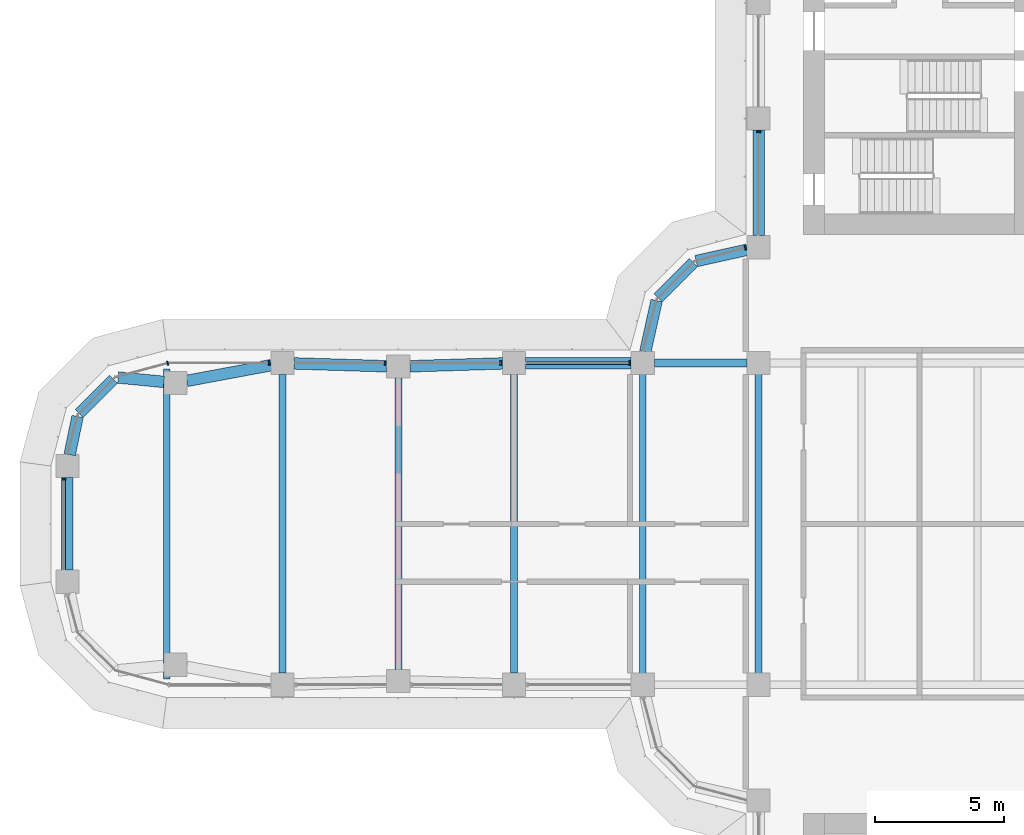
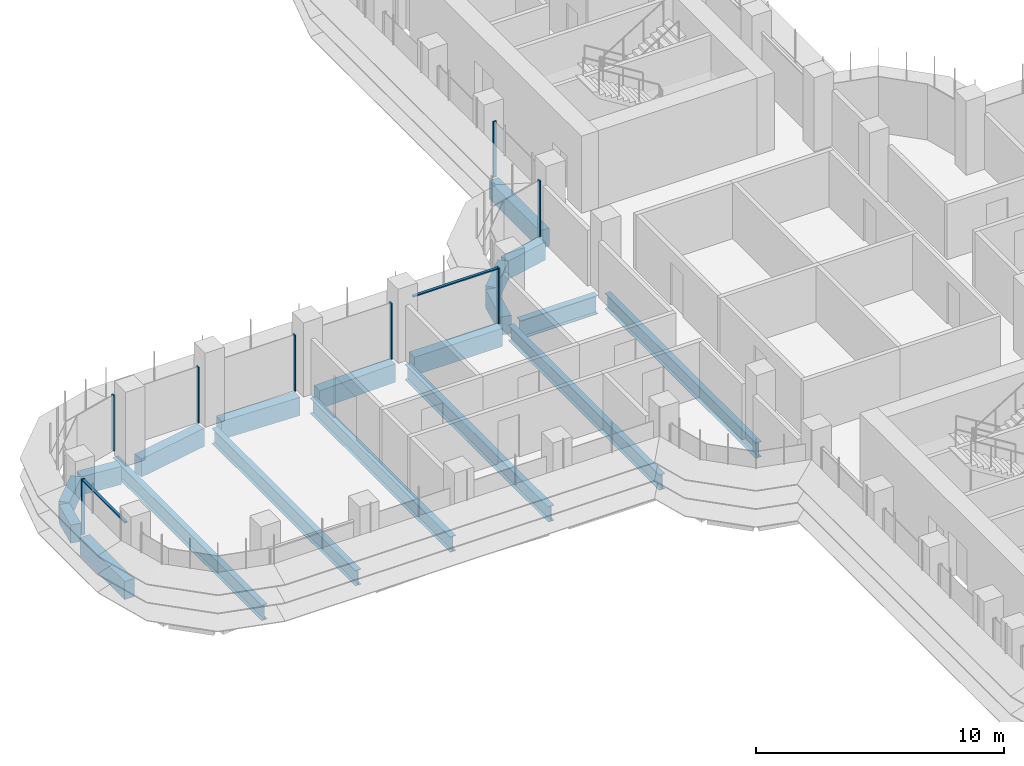
# One storey, part 6 of 22: 19 beams, 10 members, 5 elements without a shape of their own.
"""IFC4 building model written with IfcOpenShell, lengths in metres."""

from ifc_helpers import new_model, si_unit, direction, frame, origin, origin_2d, place, context, subcontext, project, spatial, polyline, rectangle, i_section, outline, extrude, source, transform, mapped, material, material_profile, profile_set, type_object, element, aggregate, save


model = new_model("IFC4")

# Units and contexts
model_context = context("Model", 3, precision=1e-05, world=origin(), true_north=direction((0.0, 1.0)))
body_context = subcontext(model_context, "Body", "Model", "MODEL_VIEW")
ifc_project = project(units=[si_unit("LENGTHUNIT", "METRE"), si_unit("AREAUNIT", "SQUARE_METRE"), si_unit("VOLUMEUNIT", "CUBIC_METRE"), si_unit("PLANEANGLEUNIT", "RADIAN"), si_unit("MASSUNIT", "GRAM", prefix="KILO")], contexts=[model_context])

# Site, building, storey
site_placement = place(None, origin())
site = spatial("IfcSite", under=ifc_project, at=site_placement, CompositionType="ELEMENT")
building_placement = place(site_placement, origin())
building = spatial("IfcBuilding", under=site, at=building_placement, Name="Zarbagh Exchange Tower", CompositionType="ELEMENT")
storey_placement = place(building_placement, frame((0.0, 0.0, 109.39990234375)))
storey = spatial("IfcBuildingStorey", under=building, at=storey_placement, Name="L25", CompositionType="ELEMENT", Elevation=109.39990234375)

# Beams
ifc_material_1 = material(Name="Steel ASTM A992 Gr 50", Category="steel")
ifc_material_profile_1 = material_profile(ifc_material_1, i_section(OverallWidth=0.2666015625, OverallDepth=0.7568359375, WebThickness=0.013916015625, FlangeThickness=0.019287109375, at=origin_2d()), Name="W30X108")
ifc_profile_set_1 = profile_set([ifc_material_profile_1], Name="Steel ASTM A992 Gr 50")
beam_type_1 = type_object("IfcBeamType", Name="Floor beam W30X108", PredefinedType="BEAM", material=ifc_profile_set_1)
for number, where, z_axis, x_axis, name in (
    (1, (-10.75, -6.09765625, -0.5283203125), (0.0, 1.0, 0.0), (-1.0, 0.0, 0.0), "Steel floor beam"),
    (2, (-6.25, -6.09765625, -0.5283203125), (0.0, 1.0, 0.0), (-1.0, 0.0, 0.0), "Steel floor beam"),
):
    element("IfcBeam", number, at=place(storey_placement, frame(where, z_axis=z_axis, x_axis=x_axis)), inside=storey, type_object=beam_type_1, Name=name, PredefinedType="BEAM", context=body_context, shape_type="SweptSolid", body=[
        extrude(i_section(OverallWidth=0.2666015625, OverallDepth=0.7568359375, WebThickness=0.013916015625, FlangeThickness=0.019287109375, at=origin_2d()), origin(), (0.0, 0.0, 1.0), 12.1953125),
    ])
beam_1_placement = place(storey_placement, frame((-15.75, -5.800048828125, -0.5283203125), z_axis=(0.0, 1.0, 0.0), x_axis=(-1.0, 0.0, 0.0)))
element("IfcBeam", 3, at=beam_1_placement, inside=storey, type_object=beam_type_1, Name="Steel floor beam", PredefinedType="BEAM", context=body_context, shape_type="SweptSolid", body=[
    extrude(i_section(OverallWidth=0.2666015625, OverallDepth=0.7568359375, WebThickness=0.013916015625, FlangeThickness=0.019287109375, at=origin_2d()), origin(), (0.0, 0.0, 1.0), 11.60009765625),
])
beam_2_placement = place(storey_placement, frame((-20.25, -5.659912109375, -0.5283203125), z_axis=(0.0, 1.0, 0.0), x_axis=(-1.0, 0.0, 0.0)))
element("IfcBeam", 4, at=beam_2_placement, inside=storey, type_object=beam_type_1, Name="Steel floor beam", PredefinedType="BEAM", context=body_context, shape_type="SweptSolid", body=[
    extrude(i_section(OverallWidth=0.2666015625, OverallDepth=0.7568359375, WebThickness=0.013916015625, FlangeThickness=0.019287109375, at=origin_2d()), origin(), (0.0, 0.0, 1.0), 11.31982421875),
])
beam_3_placement = place(storey_placement, frame((-24.75, -5.800048828125, -0.5283203125), z_axis=(0.0, 1.0, 0.0), x_axis=(-1.0, 0.0, 0.0)))
element("IfcBeam", 5, at=beam_3_placement, inside=storey, type_object=beam_type_1, Name="Steel floor beam", PredefinedType="BEAM", context=body_context, shape_type="SweptSolid", body=[
    extrude(i_section(OverallWidth=0.2666015625, OverallDepth=0.7568359375, WebThickness=0.013916015625, FlangeThickness=0.019287109375, at=origin_2d()), origin(), (0.0, 0.0, 1.0), 11.60009765625),
])
beam_4_placement = place(storey_placement, frame((-29.25, -6.02490234375, -0.5283203125), z_axis=(0.0, 1.0, 0.0), x_axis=(-1.0, 0.0, 0.0)))
element("IfcBeam", 6, at=beam_4_placement, inside=storey, type_object=beam_type_1, Name="Steel floor beam", PredefinedType="BEAM", context=body_context, shape_type="SweptSolid", body=[
    extrude(i_section(OverallWidth=0.2666015625, OverallDepth=0.7568359375, WebThickness=0.013916015625, FlangeThickness=0.019287109375, at=origin_2d()), origin(), (0.0, 0.0, 1.0), 12.0498046875),
])
ifc_material_profile_2 = material_profile(ifc_material_1, i_section(OverallWidth=0.3046875, OverallDepth=0.911865234375, WebThickness=0.015869140625, FlangeThickness=0.02392578125, at=origin_2d()), Name="W36X150")
ifc_profile_set_2 = profile_set([ifc_material_profile_2], Name="Steel ASTM A992 Gr 50")
beam_type_2 = type_object("IfcBeamType", Name="Floor girder W36X150", PredefinedType="BEAM", material=ifc_profile_set_2)
beam_5_placement = place(storey_placement, frame((-10.300048828125, 6.25, -0.605712890625), z_axis=(1.0, 0.0, 0.0), x_axis=(0.0, 1.0, 0.0)))
element("IfcBeam", 7, at=beam_5_placement, inside=storey, type_object=beam_type_2, Name="Steel girder", PredefinedType="BEAM", context=body_context, shape_type="SweptSolid", body=[
    extrude(i_section(OverallWidth=0.3046875, OverallDepth=0.911865234375, WebThickness=0.015869140625, FlangeThickness=0.02392578125, at=origin_2d()), origin(), (0.0, 0.0, 1.0), 3.60009765625),
])
ifc_material_2 = material(Name="Concrete C60/75", Category="concrete")
ifc_material_profile_3 = material_profile(ifc_material_2, rectangle(XDim=0.449951171875, YDim=0.89990234375, at=origin_2d()), Name="RC spandrel beam 450 x 900 C60/75")
ifc_profile_set_3 = profile_set([ifc_material_profile_3], Name="Concrete C60/75")
beam_type_3 = type_object("IfcBeamType", Name="RC spandrel beam 450 x 900 C60/75", PredefinedType="SPANDREL", material=ifc_profile_set_3)
beam_6_placement = place(storey_placement, frame((-33.110107421875, -1.800048828125, -0.599853515625), z_axis=(0.0, 1.0, 0.0), x_axis=(-1.0, 0.0, 0.0)))
element("IfcBeam", 8, at=beam_6_placement, inside=storey, type_object=beam_type_3, Name="RC spandrel beam", PredefinedType="SPANDREL", context=body_context, shape_type="SweptSolid", body=[
    extrude(rectangle(XDim=0.449951171875, YDim=0.89990234375, at=origin_2d()), origin(), (0.0, 0.0, 1.0), 3.60009765625),
])
beam_7_placement = place(storey_placement, frame((-33.01904296875, 2.690673828125, -0.599853515625), z_axis=(0.202275417995, 0.979328675816, 0.0), x_axis=(-0.979328675816, 0.202275417995, 0.0)))
element("IfcBeam", 9, at=beam_7_placement, inside=storey, type_object=beam_type_3, Name="RC spandrel beam", PredefinedType="SPANDREL", context=body_context, shape_type="SweptSolid", body=[
    extrude(rectangle(XDim=0.449951171875, YDim=0.89990234375, at=origin_2d()), origin(), (0.0, 0.0, 1.0), 1.515869140625),
])
beam_8_placement = place(storey_placement, frame((-32.651123046875, 4.288818359375, -0.599853515625), z_axis=(0.707106781187, 0.707106781187, 0.0), x_axis=(-0.707106781187, 0.707106781187, 0.0)))
element("IfcBeam", 10, at=beam_8_placement, inside=storey, type_object=beam_type_3, Name="RC spandrel beam", PredefinedType="SPANDREL", context=body_context, shape_type="SweptSolid", body=[
    extrude(rectangle(XDim=0.449951171875, YDim=0.89990234375, at=origin_2d()), origin(), (0.0, 0.0, 1.0), 1.887939453125),
])
beam_9_placement = place(storey_placement, frame((-31.135498046875, 5.688720703125, -0.599853515625), z_axis=(0.995433267802, -0.095459988228, 0.0), x_axis=(0.095459988228, 0.995433267802, 0.0)))
element("IfcBeam", 11, at=beam_9_placement, inside=storey, type_object=beam_type_3, Name="RC spandrel beam", PredefinedType="SPANDREL", context=body_context, shape_type="SweptSolid", body=[
    extrude(rectangle(XDim=0.449951171875, YDim=0.89990234375, at=origin_2d()), origin(), (0.0, 0.0, 1.0), 1.78759765625),
])
beam_10_placement = place(storey_placement, frame((-28.465576171875, 5.5576171875, -0.599853515625), z_axis=(0.98308156541, 0.183168326277, 0.0), x_axis=(-0.183168326277, 0.98308156541, 0.0)))
element("IfcBeam", 12, at=beam_10_placement, inside=storey, type_object=beam_type_3, Name="RC spandrel beam", PredefinedType="SPANDREL", context=body_context, shape_type="SweptSolid", body=[
    extrude(rectangle(XDim=0.449951171875, YDim=0.89990234375, at=origin_2d()), origin(), (0.0, 0.0, 1.0), 3.32958984375),
])
for number, where, z_axis, x_axis, name in (
    (13, (-24.30029296875, 6.236083984375, -0.599853515625), (0.999516035224, -0.031107801747, 0.0), (0.031107801747, 0.999516035224, 0.0), "RC spandrel beam"),
    (14, (-19.80029296875, 6.1240234375, -0.599853515625), (0.999516035224, 0.031107801747, 0.0), (-0.031107801747, 0.999516035224, 0.0), "RC spandrel beam"),
):
    element("IfcBeam", number, at=place(storey_placement, frame(where, z_axis=z_axis, x_axis=x_axis)), inside=storey, type_object=beam_type_3, Name=name, PredefinedType="SPANDREL", context=body_context, shape_type="SweptSolid", body=[
        extrude(rectangle(XDim=0.449951171875, YDim=0.89990234375, at=origin_2d()), origin(), (0.0, 0.0, 1.0), 3.602294921875),
    ])
beam_11_placement = place(storey_placement, frame((-15.300048828125, 6.25, -0.599853515625), z_axis=(1.0, 0.0, 0.0), x_axis=(0.0, 1.0, 0.0)))
element("IfcBeam", 15, at=beam_11_placement, inside=storey, type_object=beam_type_3, Name="RC spandrel beam", PredefinedType="SPANDREL", context=body_context, shape_type="SweptSolid", body=[
    extrude(rectangle(XDim=0.449951171875, YDim=0.89990234375, at=origin_2d()), origin(), (0.0, 0.0, 1.0), 4.10009765625),
])
beam_12_placement = place(storey_placement, frame((-10.65283203125, 6.689453125, -0.599853515625), z_axis=(0.216117666208, 0.976367325525, 0.0), x_axis=(-0.976367325525, 0.216117666208, 0.0)))
element("IfcBeam", 16, at=beam_12_placement, inside=storey, type_object=beam_type_3, Name="RC spandrel beam", PredefinedType="SPANDREL", context=body_context, shape_type="SweptSolid", body=[
    extrude(rectangle(XDim=0.449951171875, YDim=0.89990234375, at=origin_2d()), origin(), (0.0, 0.0, 1.0), 2.03564453125),
])
beam_13_placement = place(storey_placement, frame((-10.15234375, 8.78759765625, -0.599853515625), z_axis=(0.707106781187, 0.707106781187, 0.0), x_axis=(-0.707106781187, 0.707106781187, 0.0)))
element("IfcBeam", 17, at=beam_13_placement, inside=storey, type_object=beam_type_3, Name="RC spandrel beam", PredefinedType="SPANDREL", context=body_context, shape_type="SweptSolid", body=[
    extrude(rectangle(XDim=0.449951171875, YDim=0.89990234375, at=origin_2d()), origin(), (0.0, 0.0, 1.0), 1.929931640625),
])
beam_14_placement = place(storey_placement, frame((-8.677001953125, 10.212890625, -0.599853515625), z_axis=(0.976367325525, 0.216117666208, 0.0), x_axis=(-0.216117666208, 0.976367325525, 0.0)))
element("IfcBeam", 18, at=beam_14_placement, inside=storey, type_object=beam_type_3, Name="RC spandrel beam", PredefinedType="SPANDREL", context=body_context, shape_type="SweptSolid", body=[
    extrude(rectangle(XDim=0.449951171875, YDim=0.89990234375, at=origin_2d()), origin(), (0.0, 0.0, 1.0), 2.03564453125),
])
beam_15_placement = place(storey_placement, frame((-6.25, 11.199951171875, -0.599853515625), z_axis=(0.0, 1.0, 0.0), x_axis=(-1.0, 0.0, 0.0)))
element("IfcBeam", 19, at=beam_15_placement, inside=storey, type_object=beam_type_3, Name="RC spandrel beam", PredefinedType="SPANDREL", context=body_context, shape_type="SweptSolid", body=[
    extrude(rectangle(XDim=0.449951171875, YDim=0.89990234375, at=origin_2d()), origin(), (0.0, 0.0, 1.0), 4.10009765625),
])

# Curtain wall, member
ifc_material_3 = material(Name="Anodised aluminium frame and glazing", Category="aluminium")
curtain_wall_type = type_object("IfcCurtainWallType", Name="CWA Ribbon glazing, lower zones", PredefinedType="NOTDEFINED", material=ifc_material_3)
curtain_wall_1_placement = place(storey_placement, origin())
curtain_wall_1 = element("IfcCurtainWall", 20, at=curtain_wall_1_placement, inside=storey, type_object=curtain_wall_type, Name="CWA56 curtain wall", PredefinedType="NOTDEFINED")
ifc_material_4 = material(Name="Anodised aluminium frame", Category="aluminium")
member_type_1 = type_object("IfcMemberType", Name="MUA Mullion, anodised aluminium frame", PredefinedType="MULLION", material=ifc_material_4)
shared_shape_1 = source(origin(), body_context, "Body", "SweptSolid", [
    extrude(outline(polyline([(0.0, -0.080078125), (0.06005859375, -0.080078125), (0.06005859375, 0.080078125), (0.0, 0.080078125), (0.0, -0.080078125)])), origin(), (0.0, 0.0, 1.0), 2.75),
])
placement = place(storey_placement, origin())
member_1 = element("IfcMember", 21, at=placement, type_object=member_type_1, Name="CWA56 mullion 4.1", PredefinedType="MULLION", context=body_context, shape_type="MappedRepresentation", body=[
    mapped(shared_shape_1, transform((-6.25, 15.260009765625, 0.0), x_axis=(0.0, -1.0, 0.0), y_axis=(1.0, 0.0, 0.0), z_axis=(0.0, 0.0, 1.0))),
])
aggregate(curtain_wall_1, [member_1])

curtain_wall_2_placement = place(storey_placement, origin())
curtain_wall_2 = element("IfcCurtainWall", 22, at=curtain_wall_2_placement, inside=storey, type_object=curtain_wall_type, Name="CWA29 curtain wall", PredefinedType="NOTDEFINED")
member_2 = element("IfcMember", 23, at=placement, type_object=member_type_1, Name="CWA29 mullion 1.1", PredefinedType="MULLION", context=body_context, shape_type="MappedRepresentation", body=[
    mapped(shared_shape_1, transform((-6.739990234375, 10.735107421875, 0.0), x_axis=(-0.965924289636, -0.258824779902, 0.0), y_axis=(0.258824779902, -0.965924289636, 0.0), z_axis=(0.0, 0.0, 1.0))),
])
aggregate(curtain_wall_2, [member_2])

# Curtain wall, members
curtain_wall_3_placement = place(storey_placement, origin())
curtain_wall_3 = element("IfcCurtainWall", 24, at=curtain_wall_3_placement, inside=storey, type_object=curtain_wall_type, Name="CWA32 curtain wall", PredefinedType="NOTDEFINED")
member_3 = element("IfcMember", 25, at=placement, type_object=member_type_1, Name="CWA32 mullion 1.1", PredefinedType="MULLION", context=body_context, shape_type="MappedRepresentation", body=[
    mapped(shared_shape_1, transform((-11.239990234375, 6.25, 0.0), x_axis=(-1.0, 0.0, 0.0), y_axis=(0.0, -1.0, 0.0), z_axis=(0.0, 0.0, 1.0))),
])
member_4 = element("IfcMember", 26, at=placement, type_object=member_type_1, Name="CWA32 mullion 2.1", PredefinedType="MULLION", context=body_context, shape_type="MappedRepresentation", body=[
    mapped(shared_shape_1, transform((-16.239990234375, 6.25, 0.0), x_axis=(-1.0, 0.0, 0.0), y_axis=(0.0, -1.0, 0.0), z_axis=(0.0, 0.0, 1.0))),
])
member_5 = element("IfcMember", 27, at=placement, type_object=member_type_1, Name="CWA32 mullion 3.1", PredefinedType="MULLION", context=body_context, shape_type="MappedRepresentation", body=[
    mapped(shared_shape_1, transform((-20.739990234375, 6.25, 0.0), x_axis=(-1.0, 0.0, 0.0), y_axis=(0.0, -1.0, 0.0), z_axis=(0.0, 0.0, 1.0))),
])
member_6 = element("IfcMember", 28, at=placement, type_object=member_type_1, Name="CWA32 mullion 4.1", PredefinedType="MULLION", context=body_context, shape_type="MappedRepresentation", body=[
    mapped(shared_shape_1, transform((-25.239990234375, 6.25, 0.0), x_axis=(-1.0, 0.0, 0.0), y_axis=(0.0, -1.0, 0.0), z_axis=(0.0, 0.0, 1.0))),
])

# Curtain wall, member
curtain_wall_4_placement = place(storey_placement, origin())
curtain_wall_4 = element("IfcCurtainWall", 29, at=curtain_wall_4_placement, inside=storey, type_object=curtain_wall_type, Name="CWA33 curtain wall", PredefinedType="NOTDEFINED")
member_7 = element("IfcMember", 30, at=placement, type_object=member_type_1, Name="CWA33 mullion 1.1", PredefinedType="MULLION", context=body_context, shape_type="MappedRepresentation", body=[
    mapped(shared_shape_1, transform((-29.18408203125, 6.25, 0.0), x_axis=(-0.965924289636, -0.258824779902, 0.0), y_axis=(0.258824779902, -0.965924289636, 0.0), z_axis=(0.0, 0.0, 1.0))),
])
aggregate(curtain_wall_4, [member_7])

curtain_wall_5_placement = place(storey_placement, origin())
curtain_wall_5 = element("IfcCurtainWall", 31, at=curtain_wall_5_placement, inside=storey, type_object=curtain_wall_type, Name="CWA36 curtain wall", PredefinedType="NOTDEFINED")
member_8 = element("IfcMember", 32, at=placement, type_object=member_type_1, Name="CWA36 mullion 1.1", PredefinedType="MULLION", context=body_context, shape_type="MappedRepresentation", body=[
    mapped(shared_shape_1, transform((-33.25, 1.760009765625, 0.0), x_axis=(0.0, -1.0, 0.0), y_axis=(1.0, 0.0, 0.0), z_axis=(0.0, 0.0, 1.0))),
])

# Member
member_type_2 = type_object("IfcMemberType", Name="TRA Transom, anodised aluminium frame", PredefinedType="USERDEFINED", material=ifc_material_4)
shared_shape_2 = source(origin(), body_context, "Body", "SweptSolid", [
    extrude(outline(polyline([(-0.06005859375, -0.06005859375), (0.0, -0.06005859375), (0.0, 0.06005859375), (-0.06005859375, 0.06005859375), (-0.06005859375, -0.06005859375)])), origin(), (0.0, 0.0, 1.0), 3.9599609375),
])
member_9 = element("IfcMember", 33, at=placement, type_object=member_type_2, Name="CWA32 transom 1.1", ObjectType="TRANSOM", PredefinedType="USERDEFINED", context=body_context, shape_type="MappedRepresentation", body=[
    mapped(shared_shape_2, transform((-11.300048828125, 6.25, 2.75), x_axis=(0.0, 0.0, 1.0), y_axis=(0.0, 1.0, 0.0), z_axis=(-1.0, 0.0, 0.0))),
])

aggregate(curtain_wall_3, [member_3, member_9, member_4, member_5, member_6])

shared_shape_3 = source(origin(), body_context, "Body", "SweptSolid", [
    extrude(outline(polyline([(-0.06005859375, -0.06005859375), (0.0, -0.06005859375), (0.0, 0.06005859375), (-0.06005859375, 0.06005859375), (-0.06005859375, -0.06005859375)])), origin(), (0.0, 0.0, 1.0), 3.4599609375),
])
member_10 = element("IfcMember", 34, at=placement, type_object=member_type_2, Name="CWA36 transom 1.1", ObjectType="TRANSOM", PredefinedType="USERDEFINED", context=body_context, shape_type="MappedRepresentation", body=[
    mapped(shared_shape_3, transform((-33.25, 1.699951171875, 2.75), x_axis=(0.0, 0.0, 1.0), y_axis=(-1.0, 0.0, 0.0), z_axis=(0.0, -1.0, 0.0))),
])

aggregate(curtain_wall_5, [member_8, member_10])

save(model, "model.ifc")
